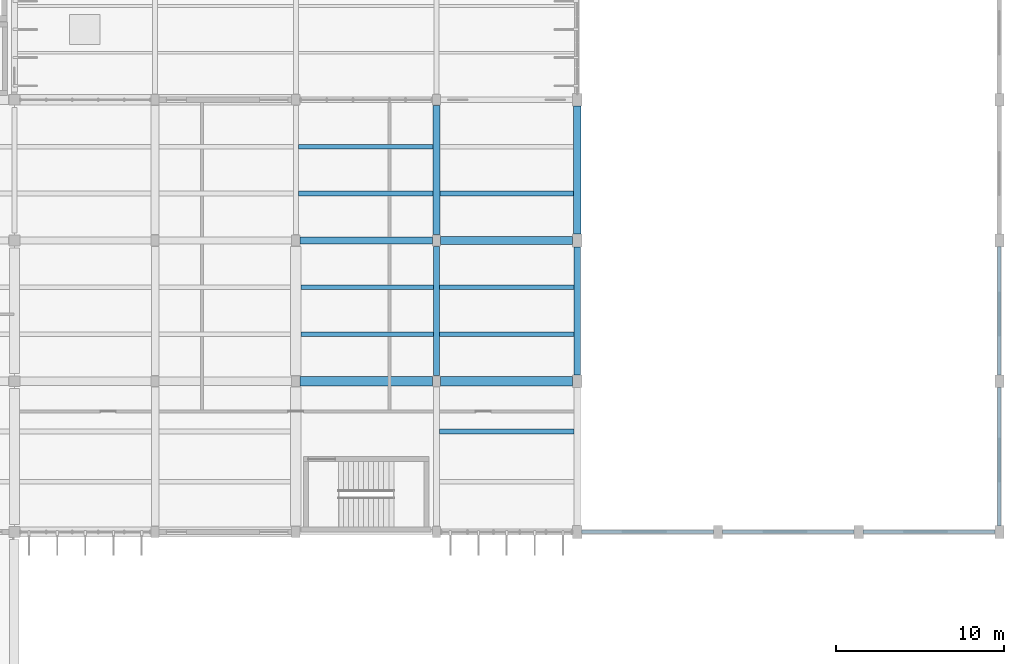
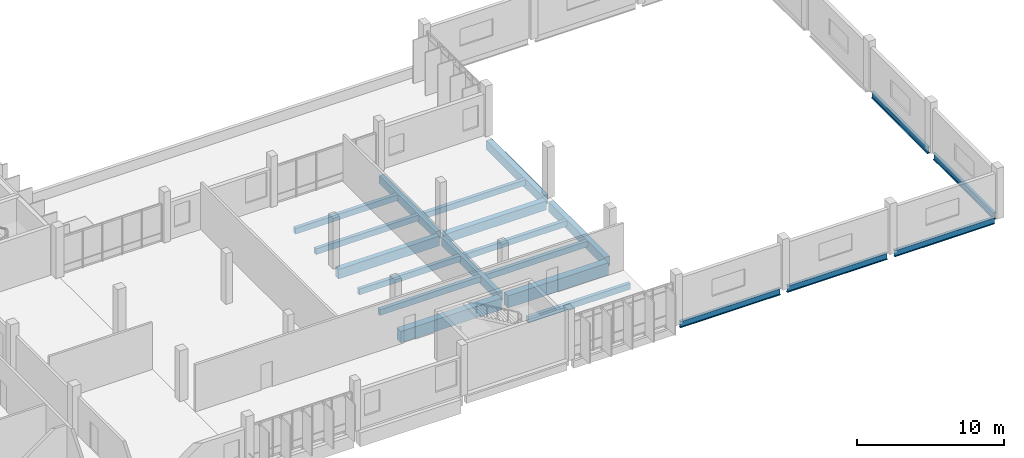
# One storey, part 67 of 101: 21 beams.
"""IFC4 building model written with IfcOpenShell, lengths in metres."""

from ifc_helpers import new_model, si_unit, direction, frame, origin, origin_2d, place, context, subcontext, project, spatial, rectangle, i_section, extrude, material, material_profile, profile_set, type_object, element, save


model = new_model("IFC4")

# Units and contexts
model_context = context("Model", 3, precision=1e-05, world=origin(), true_north=direction((0.0, 1.0)))
body_context = subcontext(model_context, "Body", "Model", "MODEL_VIEW")
ifc_project = project(units=[si_unit("LENGTHUNIT", "METRE"), si_unit("AREAUNIT", "SQUARE_METRE"), si_unit("VOLUMEUNIT", "CUBIC_METRE"), si_unit("PLANEANGLEUNIT", "RADIAN"), si_unit("MASSUNIT", "GRAM", prefix="KILO")], contexts=[model_context])

# Site, building, storey
site_placement = place(None, origin())
site = spatial("IfcSite", under=ifc_project, at=site_placement, CompositionType="ELEMENT")
building_placement = place(site_placement, origin())
building = spatial("IfcBuilding", under=site, at=building_placement, Name="Vireocrest Preparatory School", CompositionType="ELEMENT")
storey_placement = place(building_placement, frame((0.0, 0.0, 4.800048828125)))
storey = spatial("IfcBuildingStorey", under=building, at=storey_placement, Name="L01", CompositionType="ELEMENT", Elevation=4.800048828125)

# Beams
ifc_material_1 = material(Name="Structural steel ASTM A992 Grade 50", Category="steel")
ifc_material_profile_1 = material_profile(ifc_material_1, i_section(OverallWidth=0.208984375, OverallDepth=0.532958984375, WebThickness=0.01025390625, FlangeThickness=0.015625, FilletRadius=0.014892578125, at=origin_2d()), Name="W21X62")
ifc_profile_set_1 = profile_set([ifc_material_profile_1], Name="Structural steel ASTM A992 Grade 50")
beam_type_1 = type_object("IfcBeamType", Name="Court Tie Girder W21X62", PredefinedType="BEAM", material=ifc_profile_set_1)
beam_1_placement = place(storey_placement, frame((168.0, 18.3701171875, -0.2666015625), z_axis=(0.0, 1.0, 0.0), x_axis=(-1.0, 0.0, 0.0)))
element("IfcBeam", 1, at=beam_1_placement, inside=storey, type_object=beam_type_1, Name="Hall Perimeter Wall Girt SB5 L01-13", PredefinedType="BEAM", context=body_context, shape_type="SweptSolid", body=[
    extrude(i_section(OverallWidth=0.208984375, OverallDepth=0.532958984375, WebThickness=0.01025390625, FlangeThickness=0.015625, FilletRadius=0.014892578125, at=origin_2d()), origin(), (0.0, 0.0, 1.0), 8.259765625),
])
beam_2_placement = place(storey_placement, frame((168.0, 27.3701171875, -0.2666015625), z_axis=(0.0, 1.0, 0.0), x_axis=(-1.0, 0.0, 0.0)))
element("IfcBeam", 2, at=beam_2_placement, inside=storey, type_object=beam_type_1, Name="Hall Perimeter Wall Girt SB5 L01-14", PredefinedType="BEAM", context=body_context, shape_type="SweptSolid", body=[
    extrude(i_section(OverallWidth=0.208984375, OverallDepth=0.532958984375, WebThickness=0.01025390625, FlangeThickness=0.015625, FilletRadius=0.014892578125, at=origin_2d()), origin(), (0.0, 0.0, 1.0), 7.659912109375),
])
beam_3_placement = place(storey_placement, frame((143.070068359375, 18.0, -0.2666015625), z_axis=(1.0, 0.0, 0.0), x_axis=(0.0, 1.0, 0.0)))
element("IfcBeam", 3, at=beam_3_placement, inside=storey, type_object=beam_type_1, Name="Hall Perimeter Wall Girt SB5 L01-17", PredefinedType="BEAM", context=body_context, shape_type="SweptSolid", body=[
    extrude(i_section(OverallWidth=0.208984375, OverallDepth=0.532958984375, WebThickness=0.01025390625, FlangeThickness=0.015625, FilletRadius=0.014892578125, at=origin_2d()), origin(), (0.0, 0.0, 1.0), 7.85986328125),
])
beam_4_placement = place(storey_placement, frame((151.469970703125, 18.0, -0.2666015625), z_axis=(1.0, 0.0, 0.0), x_axis=(0.0, 1.0, 0.0)))
element("IfcBeam", 4, at=beam_4_placement, inside=storey, type_object=beam_type_1, Name="Hall Perimeter Wall Girt SB5 L01-18", PredefinedType="BEAM", context=body_context, shape_type="SweptSolid", body=[
    extrude(i_section(OverallWidth=0.208984375, OverallDepth=0.532958984375, WebThickness=0.01025390625, FlangeThickness=0.015625, FilletRadius=0.014892578125, at=origin_2d()), origin(), (0.0, 0.0, 1.0), 7.860107421875),
])
beam_5_placement = place(storey_placement, frame((159.8701171875, 18.0, -0.2666015625), z_axis=(1.0, 0.0, 0.0), x_axis=(0.0, 1.0, 0.0)))
element("IfcBeam", 5, at=beam_5_placement, inside=storey, type_object=beam_type_1, Name="Hall Perimeter Wall Girt SB5 L01-19", PredefinedType="BEAM", context=body_context, shape_type="SweptSolid", body=[
    extrude(i_section(OverallWidth=0.208984375, OverallDepth=0.532958984375, WebThickness=0.01025390625, FlangeThickness=0.015625, FilletRadius=0.014892578125, at=origin_2d()), origin(), (0.0, 0.0, 1.0), 7.85986328125),
])
ifc_material_2 = material(Name="Concrete 40 MPa", Category="concrete")
ifc_material_profile_2 = material_profile(ifc_material_2, rectangle(XDim=0.550048828125, YDim=1.0, at=origin_2d()), Name="RC 550x1000")
ifc_profile_set_2 = profile_set([ifc_material_profile_2], Name="Concrete 40 MPa")
beam_type_2 = type_object("IfcBeamType", Name="RC Core Coupling Beam 550x1000", PredefinedType="BEAM", material=ifc_profile_set_2)
beam_6_placement = place(storey_placement, frame((134.64990234375, 27.0, -0.780029296875), z_axis=(1.0, 0.0, 0.0), x_axis=(0.0, 1.0, 0.0)))
element("IfcBeam", 6, at=beam_6_placement, inside=storey, type_object=beam_type_2, Name="Primary Girder B18 L01-0286", PredefinedType="BEAM", context=body_context, shape_type="SweptSolid", body=[
    extrude(rectangle(XDim=0.550048828125, YDim=1.0, at=origin_2d()), origin(), (0.0, 0.0, 1.0), 7.875),
])
ifc_material_profile_3 = material_profile(ifc_material_2, rectangle(XDim=0.35009765625, YDim=0.699951171875, at=origin_2d()), Name="RC 350x700")
ifc_profile_set_3 = profile_set([ifc_material_profile_3], Name="Concrete 40 MPa")
beam_type_3 = type_object("IfcBeamType", Name="RC Laboratory Girder 350x700", PredefinedType="BEAM", material=ifc_profile_set_3)
beam_7_placement = place(storey_placement, frame((134.39990234375, 27.35009765625, -0.630126953125), z_axis=(0.0, 1.0, 0.0), x_axis=(-1.0, 0.0, 0.0)))
element("IfcBeam", 7, at=beam_7_placement, inside=storey, type_object=beam_type_3, Name="Primary Girder B06 L01-0485", PredefinedType="BEAM", context=body_context, shape_type="SweptSolid", body=[
    extrude(rectangle(XDim=0.35009765625, YDim=0.699951171875, at=origin_2d()), origin(), (0.0, 0.0, 1.0), 7.699951171875),
])
ifc_material_profile_4 = material_profile(ifc_material_2, rectangle(XDim=0.39990234375, YDim=0.64990234375, at=origin_2d()), Name="RC 400x650")
ifc_profile_set_4 = profile_set([ifc_material_profile_4], Name="Concrete 40 MPa")
beam_type_4 = type_object("IfcBeamType", Name="RC Laboratory Girder 400x650", PredefinedType="BEAM", material=ifc_profile_set_4)
beam_8_placement = place(storey_placement, frame((134.39990234375, 35.75, -0.60498046875), z_axis=(0.0, 1.0, 0.0), x_axis=(-1.0, 0.0, 0.0)))
element("IfcBeam", 8, at=beam_8_placement, inside=storey, type_object=beam_type_4, Name="Primary Girder B07 L01-0486", PredefinedType="BEAM", context=body_context, shape_type="SweptSolid", body=[
    extrude(rectangle(XDim=0.39990234375, YDim=0.64990234375, at=origin_2d()), origin(), (0.0, 0.0, 1.0), 7.699951171875),
])
ifc_material_profile_5 = material_profile(ifc_material_2, rectangle(XDim=0.39990234375, YDim=0.800048828125, at=origin_2d()), Name="RC 400x800")
ifc_profile_set_5 = profile_set([ifc_material_profile_5], Name="Concrete 40 MPa")
beam_type_5 = type_object("IfcBeamType", Name="RC Library Reading Girder 400x800", PredefinedType="BEAM", material=ifc_profile_set_5)
beam_9_placement = place(storey_placement, frame((126.25, 35.39990234375, -0.679931640625), z_axis=(1.0, 0.0, 0.0), x_axis=(0.0, 1.0, 0.0)))
element("IfcBeam", 9, at=beam_9_placement, inside=storey, type_object=beam_type_5, Name="Primary Girder B10 L01-0296", PredefinedType="BEAM", context=body_context, shape_type="SweptSolid", body=[
    extrude(rectangle(XDim=0.39990234375, YDim=0.800048828125, at=origin_2d()), origin(), (0.0, 0.0, 1.0), 7.89990234375),
])
beam_10_placement = place(storey_placement, frame((142.800048828125, 27.375, -0.679931640625), z_axis=(0.0, 1.0, 0.0), x_axis=(-1.0, 0.0, 0.0)))
element("IfcBeam", 10, at=beam_10_placement, inside=storey, type_object=beam_type_5, Name="Primary Girder B10 L01-0489", PredefinedType="BEAM", context=body_context, shape_type="SweptSolid", body=[
    extrude(rectangle(XDim=0.39990234375, YDim=0.800048828125, at=origin_2d()), origin(), (0.0, 0.0, 1.0), 7.64990234375),
])
ifc_material_profile_6 = material_profile(ifc_material_2, rectangle(XDim=0.449951171875, YDim=0.75, at=origin_2d()), Name="RC 450x750")
ifc_profile_set_6 = profile_set([ifc_material_profile_6], Name="Concrete 40 MPa")
beam_type_6 = type_object("IfcBeamType", Name="RC Library Stack Girder 450x750", PredefinedType="BEAM", material=ifc_profile_set_6)
beam_11_placement = place(storey_placement, frame((134.64990234375, 35.39990234375, -0.655029296875), z_axis=(1.0, 0.0, 0.0), x_axis=(0.0, 1.0, 0.0)))
element("IfcBeam", 11, at=beam_11_placement, inside=storey, type_object=beam_type_6, Name="Primary Girder B11 L01-0297", PredefinedType="BEAM", context=body_context, shape_type="SweptSolid", body=[
    extrude(rectangle(XDim=0.449951171875, YDim=0.75, at=origin_2d()), origin(), (0.0, 0.0, 1.0), 7.875),
])
beam_12_placement = place(storey_placement, frame((142.800048828125, 35.77490234375, -0.655029296875), z_axis=(0.0, 1.0, 0.0), x_axis=(-1.0, 0.0, 0.0)))
element("IfcBeam", 12, at=beam_12_placement, inside=storey, type_object=beam_type_6, Name="Primary Girder B11 L01-0490", PredefinedType="BEAM", context=body_context, shape_type="SweptSolid", body=[
    extrude(rectangle(XDim=0.449951171875, YDim=0.75, at=origin_2d()), origin(), (0.0, 0.0, 1.0), 7.650146484375),
])
ifc_material_profile_7 = material_profile(ifc_material_2, rectangle(XDim=0.280029296875, YDim=0.47998046875, at=origin_2d()), Name="RC 280x480")
ifc_profile_set_7 = profile_set([ifc_material_profile_7], Name="Concrete 40 MPa")
beam_type_7 = type_object("IfcBeamType", Name="RC Secondary Lab Joist 280x480", PredefinedType="JOIST", material=ifc_profile_set_7)
for number, where, z_axis, x_axis, name in (
    (13, (126.300048828125, 29.800048828125, -0.52001953125), (1.0, 0.0, 0.0), (0.0, 1.0, 0.0), "Secondary Joist J02 L01-0649"),
    (14, (126.300048828125, 32.60009765625, -0.52001953125), (1.0, 0.0, 0.0), (0.0, 1.0, 0.0), "Secondary Joist J02 L01-0650"),
):
    element("IfcBeam", number, at=place(storey_placement, frame(where, z_axis=z_axis, x_axis=x_axis)), inside=storey, type_object=beam_type_7, Name=name, PredefinedType="JOIST", context=body_context, shape_type="SweptSolid", body=[
        extrude(rectangle(XDim=0.280029296875, YDim=0.47998046875, at=origin_2d()), origin(), (0.0, 0.0, 1.0), 7.925048828125),
    ])
for number, where, z_axis, x_axis, name in (
    (15, (126.14990234375, 38.199951171875, -0.52001953125), (1.0, 0.0, 0.0), (0.0, 1.0, 0.0), "Secondary Joist J02 L01-0651"),
    (16, (126.14990234375, 41.0, -0.52001953125), (1.0, 0.0, 0.0), (0.0, 1.0, 0.0), "Secondary Joist J02 L01-0652"),
):
    element("IfcBeam", number, at=place(storey_placement, frame(where, z_axis=z_axis, x_axis=x_axis)), inside=storey, type_object=beam_type_7, Name=name, PredefinedType="JOIST", context=body_context, shape_type="SweptSolid", body=[
        extrude(rectangle(XDim=0.280029296875, YDim=0.47998046875, at=origin_2d()), origin(), (0.0, 0.0, 1.0), 8.050048828125),
    ])
for number, where, z_axis, x_axis, name in (
    (17, (134.574951171875, 24.0, -0.52001953125), (1.0, 0.0, 0.0), (0.0, 1.0, 0.0), "Secondary Joist J02 L01-0656"),
    (18, (134.574951171875, 29.800048828125, -0.52001953125), (1.0, 0.0, 0.0), (0.0, 1.0, 0.0), "Secondary Joist J02 L01-0657"),
    (19, (134.574951171875, 32.60009765625, -0.52001953125), (1.0, 0.0, 0.0), (0.0, 1.0, 0.0), "Secondary Joist J02 L01-0658"),
):
    element("IfcBeam", number, at=place(storey_placement, frame(where, z_axis=z_axis, x_axis=x_axis)), inside=storey, type_object=beam_type_7, Name=name, PredefinedType="JOIST", context=body_context, shape_type="SweptSolid", body=[
        extrude(rectangle(XDim=0.280029296875, YDim=0.47998046875, at=origin_2d()), origin(), (0.0, 0.0, 1.0), 8.025146484375),
    ])
beam_13_placement = place(storey_placement, frame((134.60009765625, 38.199951171875, -0.52001953125), z_axis=(1.0, 0.0, 0.0), x_axis=(0.0, 1.0, 0.0)))
element("IfcBeam", 20, at=beam_13_placement, inside=storey, type_object=beam_type_7, Name="Secondary Joist J02 L01-0659", PredefinedType="JOIST", context=body_context, shape_type="SweptSolid", body=[
    extrude(rectangle(XDim=0.280029296875, YDim=0.47998046875, at=origin_2d()), origin(), (0.0, 0.0, 1.0), 7.974853515625),
])
ifc_material_profile_8 = material_profile(ifc_material_2, rectangle(XDim=0.550048828125, YDim=0.949951171875, at=origin_2d()), Name="RC 550x950")
ifc_profile_set_8 = profile_set([ifc_material_profile_8], Name="Concrete 40 MPa")
beam_type_8 = type_object("IfcBeamType", Name="RC Setback Edge Girder 550x950", PredefinedType="BEAM", material=ifc_profile_set_8)
beam_14_placement = place(storey_placement, frame((126.25, 27.0, -0.755126953125), z_axis=(1.0, 0.0, 0.0), x_axis=(0.0, 1.0, 0.0)))
element("IfcBeam", 21, at=beam_14_placement, inside=storey, type_object=beam_type_8, Name="Primary Girder B17 L01-0285", PredefinedType="BEAM", context=body_context, shape_type="SweptSolid", body=[
    extrude(rectangle(XDim=0.550048828125, YDim=0.949951171875, at=origin_2d()), origin(), (0.0, 0.0, 1.0), 7.89990234375),
])

save(model, "model.ifc")
